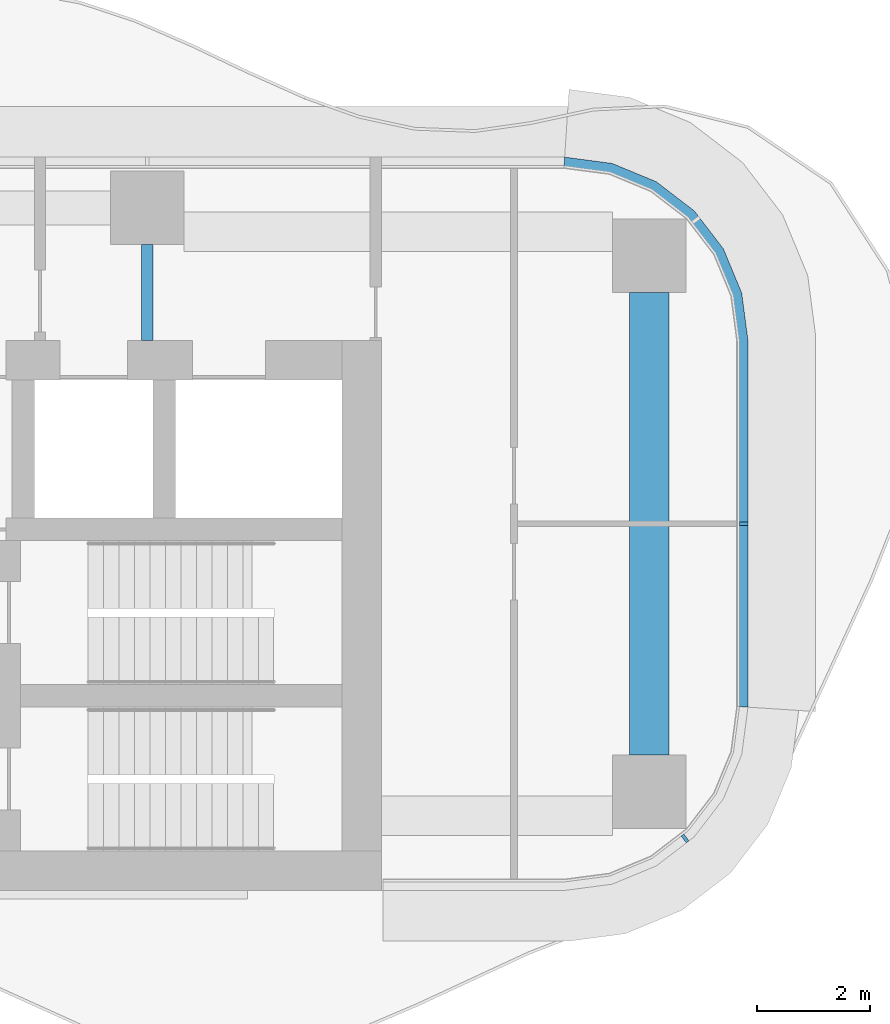
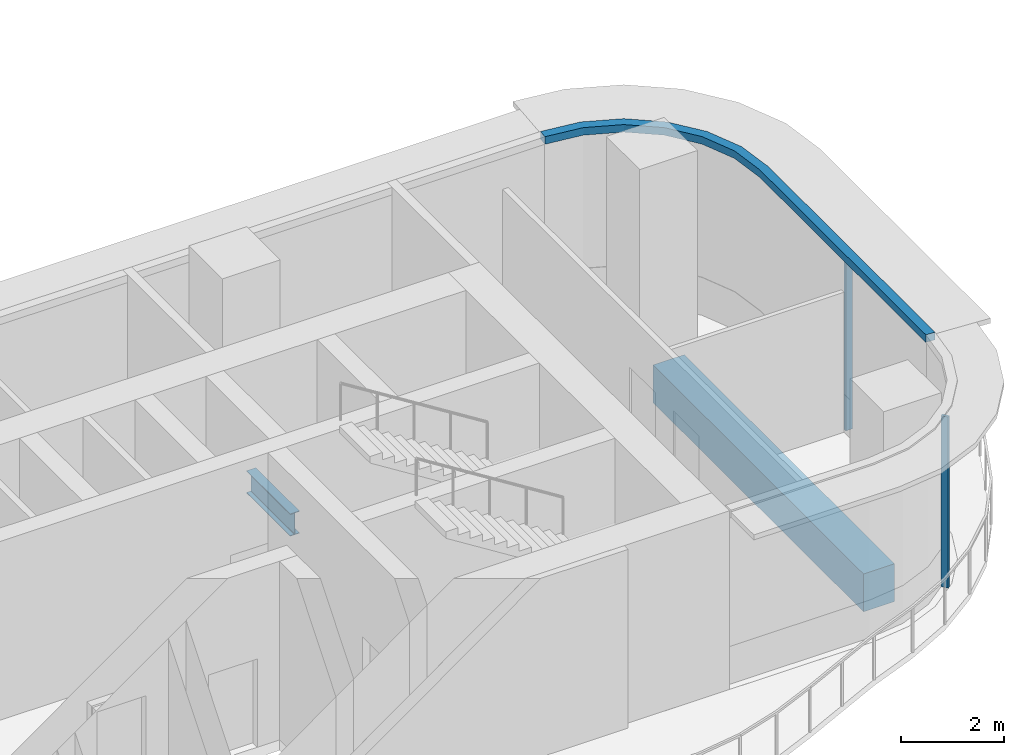
# One storey, part 7 of 21: 3 members, 2 beams, 2 elements without a shape of their own.
"""IFC4 building model written with IfcOpenShell, lengths in metres."""

from ifc_helpers import new_model, si_unit, direction, frame, origin, origin_2d, place, context, subcontext, project, spatial, polyline, rectangle, i_section, outline, extrude, source, transform, mapped, material, layer, layer_set, material_profile, profile_set, type_object, element, aggregate, save


model = new_model("IFC4")

# Units and contexts
model_context = context("Model", 3, precision=1e-05, world=origin(), true_north=direction((0.0, 1.0)))
body_context = subcontext(model_context, "Body", "Model", "MODEL_VIEW")
ifc_project = project(units=[si_unit("LENGTHUNIT", "METRE"), si_unit("AREAUNIT", "SQUARE_METRE"), si_unit("VOLUMEUNIT", "CUBIC_METRE"), si_unit("PLANEANGLEUNIT", "RADIAN"), si_unit("MASSUNIT", "GRAM", prefix="KILO")], contexts=[model_context])

# Site, building, storey
site_placement = place(None, origin())
site = spatial("IfcSite", under=ifc_project, at=site_placement, CompositionType="ELEMENT")
building_placement = place(site_placement, origin())
building = spatial("IfcBuilding", under=site, at=building_placement, Name="Trellis Farm Tower", CompositionType="ELEMENT")
storey_placement = place(building_placement, frame((0.0, 0.0, 147.0)))
storey = spatial("IfcBuildingStorey", under=building, at=storey_placement, Name="L31", CompositionType="ELEMENT", Elevation=147.0)

# Beams
ifc_material_1 = material(Name="Steel S355", Category="steel")
ifc_material_profile_1 = material_profile(ifc_material_1, i_section(OverallWidth=0.209228515625, OverallDepth=0.533203125, WebThickness=0.010009765625, FlangeThickness=0.015625, FilletRadius=0.0126953125, at=origin_2d()), Name="UB 533x210x92")
ifc_profile_set_1 = profile_set([ifc_material_profile_1], Name="Steel S355")
beam_type_1 = type_object("IfcBeamType", Name="UB 533x210x92", PredefinedType="BEAM", material=ifc_profile_set_1)
shared_shape_1 = source(origin(), body_context, "Body", "SweptSolid", [
    extrude(i_section(OverallWidth=0.209228515625, OverallDepth=0.533203125, WebThickness=0.010009765625, FlangeThickness=0.015625, FilletRadius=0.0126953125, at=origin_2d()), origin(), (0.0, 0.0, 1.0), 1.699951171875),
])
beam_1_placement = place(storey_placement, frame((18.60009765625, 3.25, -0.5166015625), z_axis=(0.0, 1.0, 0.0), x_axis=(-1.0, 0.0, 0.0)))
element("IfcBeam", 1, at=beam_1_placement, inside=storey, type_object=beam_type_1, Name="Girder", PredefinedType="BEAM", context=body_context, shape_type="MappedRepresentation", body=[
    mapped(shared_shape_1, transform((0.0, 0.0, 0.0))),
])
ifc_material_2 = material(Name="Concrete C60/75", Category="concrete")
ifc_material_profile_2 = material_profile(ifc_material_2, rectangle(XDim=0.699951171875, YDim=0.89990234375, at=origin_2d()), Name="RC spandrel beam 700x900 C60/75")
ifc_profile_set_2 = profile_set([ifc_material_profile_2], Name="Concrete C60/75")
beam_type_2 = type_object("IfcBeamType", Name="RC spandrel beam 700x900 C60/75", PredefinedType="SPANDREL", material=ifc_profile_set_2)
shared_shape_2 = source(origin(), body_context, "Body", "SweptSolid", [
    extrude(rectangle(XDim=0.699951171875, YDim=0.89990234375, at=origin_2d()), origin(), (0.0, 0.0, 1.0), 8.2001953125),
])
beam_2_placement = place(storey_placement, frame((27.5, -4.10009765625, -0.699951171875), z_axis=(0.0, 1.0, 0.0), x_axis=(-1.0, 0.0, 0.0)))
element("IfcBeam", 2, at=beam_2_placement, inside=storey, type_object=beam_type_2, Name="Girder", PredefinedType="SPANDREL", context=body_context, shape_type="MappedRepresentation", body=[
    mapped(shared_shape_2, transform((0.0, 0.0, 0.0))),
])

# Curtain wall, member
ifc_material_3 = material(Name="Aluminium and glass curtain wall", Category="aluminium")
ifc_layer_1 = layer(ifc_material_3, 0.18994140625)
ifc_layer_set_1 = layer_set([ifc_layer_1], Name="RIBBON CURTAIN WALL CW1")
curtain_wall_type = type_object("IfcCurtainWallType", Name="RIBBON CURTAIN WALL CW1", PredefinedType="NOTDEFINED", material=ifc_layer_set_1)
placement = place(storey_placement, origin())
curtain_wall_1 = element("IfcCurtainWall", 3, at=placement, inside=storey, type_object=curtain_wall_type, Name="CW1 006", PredefinedType="NOTDEFINED")
ifc_material_4 = material(Name="Aluminium extrusion 6063-T6", Category="aluminium")
ifc_material_profile_3 = material_profile(ifc_material_4, rectangle(XDim=0.06005859375, YDim=0.14990234375, at=origin_2d()), Name="MULLION 60x150")
ifc_profile_set_3 = profile_set([ifc_material_profile_3], Name="Aluminium extrusion 6063-T6")
member_type_1 = type_object("IfcMemberType", Name="CW1 MULLION 60x150", PredefinedType="MULLION", material=ifc_profile_set_3)
shared_shape_3 = source(origin(), body_context, "Body", "SweptSolid", [
    extrude(rectangle(XDim=0.06005859375, YDim=0.14990234375, at=origin_2d()), origin(), (0.0, 0.0, 1.0), 4.070068359375),
])
member_1_placement = place(storey_placement, frame((28.135498046875, -5.578369140625, 0.0), z_axis=(0.0, 0.0, 1.0), x_axis=(0.793353340291, 0.608761429009, 0.0)))
member_1 = element("IfcMember", 4, at=member_1_placement, type_object=member_type_1, Name="MU1 006-01", PredefinedType="MULLION", context=body_context, shape_type="MappedRepresentation", body=[
    mapped(shared_shape_3, transform((0.0, 0.0, 0.0))),
])
aggregate(curtain_wall_1, [member_1])

# Curtain wall, members
curtain_wall_2 = element("IfcCurtainWall", 5, at=placement, inside=storey, type_object=curtain_wall_type, Name="CW1 007", PredefinedType="NOTDEFINED")
member_2_placement = place(storey_placement, frame((29.175048828125, 0.0, 0.0), z_axis=(0.0, 0.0, 1.0), x_axis=(0.0, 1.0, 0.0)))
member_2 = element("IfcMember", 6, at=member_2_placement, type_object=member_type_1, Name="MU1 007-01", PredefinedType="MULLION", context=body_context, shape_type="MappedRepresentation", body=[
    mapped(shared_shape_3, transform((0.0, 0.0, 0.0))),
])
ifc_layer_2 = layer(ifc_material_4, 0.199951171875)
ifc_layer_set_2 = layer_set([ifc_layer_2], Name="Aluminium extrusion 6063-T6")
member_type_2 = type_object("IfcMemberType", Name="CW1 TRANSOM 200x180", PredefinedType="USERDEFINED", material=ifc_layer_set_2)
shared_shape_4 = source(origin(), body_context, "Body", "SweptSolid", [
    extrude(outline(polyline([(29.25, -3.25), (29.25, 3.25), (29.13916015625, 4.091064453125), (28.814697265625, 4.875), (28.298095703125, 5.548095703125), (27.625, 6.064697265625), (26.841064453125, 6.38916015625), (26.0, 6.5), (25.98681640625, 6.300048828125), (26.7890625, 6.1943359375), (27.524169921875, 5.889892578125), (28.155517578125, 5.405517578125), (28.639892578125, 4.774169921875), (28.9443359375, 4.0390625), (29.050048828125, 3.23681640625), (29.050048828125, -3.23681640625), (29.25, -3.25)])), origin(), (0.0, 0.0, 1.0), 0.179931640625),
])
member_3_placement = place(storey_placement, frame((0.0, 0.0, 4.070068359375)))
member_3 = element("IfcMember", 7, at=member_3_placement, type_object=member_type_2, Name="TR1 007", ObjectType="TRANSOM", PredefinedType="USERDEFINED", context=body_context, shape_type="MappedRepresentation", body=[
    mapped(shared_shape_4, transform((0.0, 0.0, 0.0))),
])
aggregate(curtain_wall_2, [member_2, member_3])

save(model, "model.ifc")
